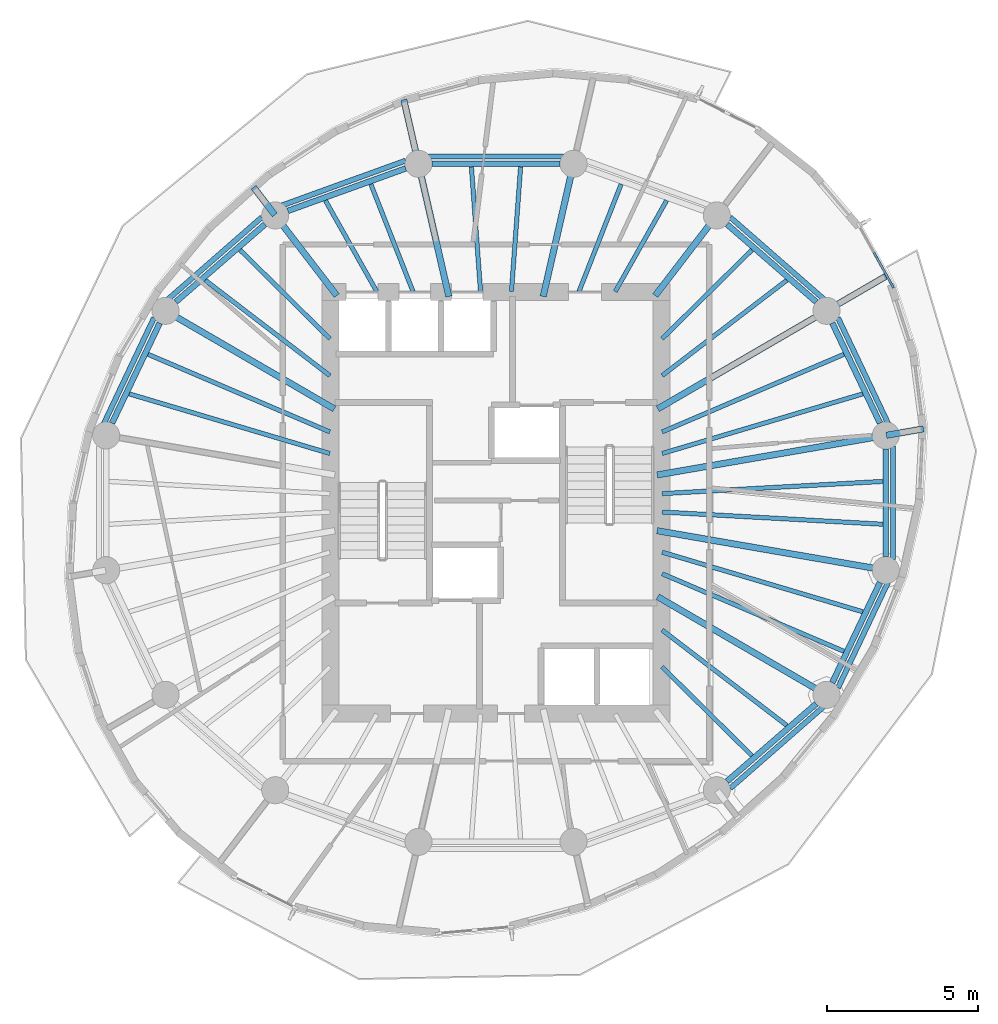
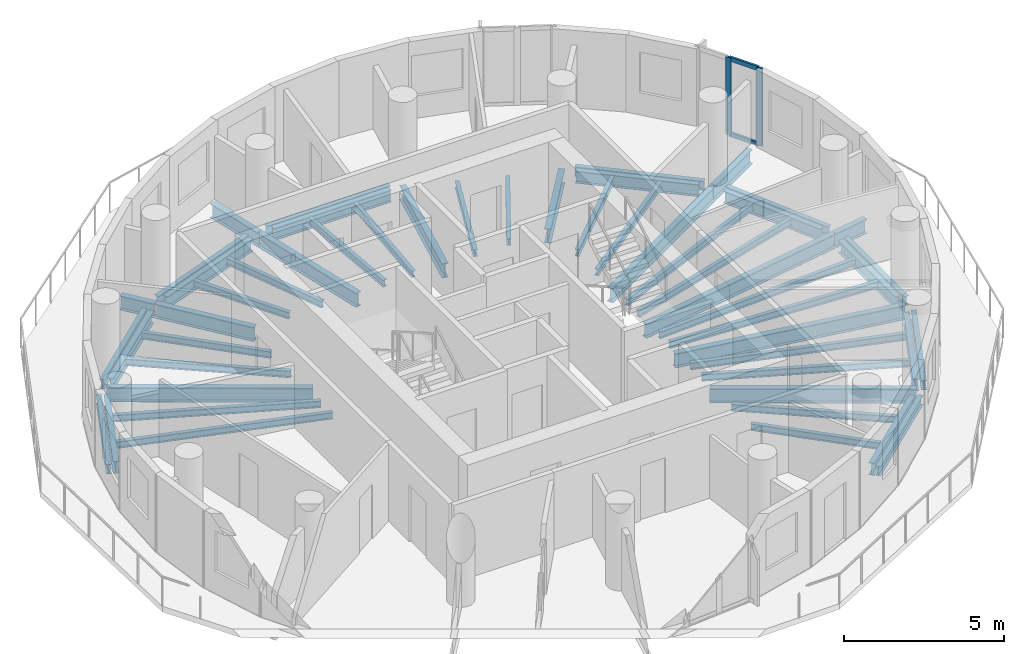
# One storey, part 2 of 10: 51 beams, 4 members, 1 element without a shape of its own.
"""IFC4 building model written with IfcOpenShell, lengths in metres."""

from ifc_helpers import new_model, si_unit, direction, frame, origin, origin_2d, place, context, subcontext, project, spatial, rectangle, i_section, extrude, material, material_profile, profile_set, type_object, element, aggregate, save


model = new_model("IFC4")

# Units and contexts
model_context = context("Model", 3, precision=1e-05, world=origin(), true_north=direction((0.0, 1.0)))
body_context = subcontext(model_context, "Body", "Model", "MODEL_VIEW")
ifc_project = project(units=[si_unit("LENGTHUNIT", "METRE"), si_unit("AREAUNIT", "SQUARE_METRE"), si_unit("VOLUMEUNIT", "CUBIC_METRE"), si_unit("PLANEANGLEUNIT", "RADIAN"), si_unit("MASSUNIT", "GRAM", prefix="KILO")], contexts=[model_context])

# Site, building, storey
site_placement = place(None, origin())
site = spatial("IfcSite", under=ifc_project, at=site_placement, CompositionType="ELEMENT")
building_placement = place(site_placement, origin())
building = spatial("IfcBuilding", under=site, at=building_placement, Name="Veldorim Arch Residences", CompositionType="ELEMENT")
storey_placement = place(building_placement, frame((0.0, 0.0, 191.840087890625)))
storey = spatial("IfcBuildingStorey", under=building, at=storey_placement, Name="L57", CompositionType="ELEMENT", Elevation=191.840087890625)

# Beams
ifc_material_1 = material(Name="Steel S355", Category="steel")
ifc_material_profile_1 = material_profile(ifc_material_1, i_section(OverallWidth=0.2119140625, OverallDepth=0.54443359375, WebThickness=0.0126953125, FlangeThickness=0.021240234375, at=origin_2d()), Name="UB533x210x122")
ifc_profile_set_1 = profile_set([ifc_material_profile_1], Name="Steel S355")
beam_type_1 = type_object("IfcBeamType", Name="Structural Steel Beam UB533x210x122", PredefinedType="BEAM", material=ifc_profile_set_1)
beam_1_placement = place(storey_placement, frame((37.352294921875, 24.92578125, -0.512451171875), z_axis=(0.985364974081, 0.170457818401, 0.0), x_axis=(-0.170457818401, 0.985364974081, 0.0)))
element("IfcBeam", 1, at=beam_1_placement, inside=storey, type_object=beam_type_1, Name="L57 radial floor girder 01", PredefinedType="BEAM", context=body_context, shape_type="SweptSolid", body=[
    extrude(i_section(OverallWidth=0.2119140625, OverallDepth=0.54443359375, WebThickness=0.0126953125, FlangeThickness=0.021240234375, at=origin_2d()), origin(), (0.0, 0.0, 1.0), 7.68701171875),
])
beam_2_placement = place(storey_placement, frame((44.966064453125, 26.242919921875, -0.512451171875), z_axis=(0.985353024945, 0.170526878328, 0.0), x_axis=(-0.170526878328, 0.985353024945, 0.0)))
element("IfcBeam", 2, at=beam_2_placement, inside=storey, type_object=beam_type_1, Name="L57 radial edge cantilever girder 01", PredefinedType="BEAM", context=body_context, shape_type="SweptSolid", body=[
    extrude(i_section(OverallWidth=0.2119140625, OverallDepth=0.54443359375, WebThickness=0.0126953125, FlangeThickness=0.021240234375, at=origin_2d()), origin(), (0.0, 0.0, 1.0), 1.252685546875),
])
beam_3_placement = place(storey_placement, frame((37.370361328125, 27.12060546875, -0.512451171875), z_axis=(0.864595736304, 0.502468121142, 0.0), x_axis=(-0.502468121142, 0.864595736304, 0.0)))
element("IfcBeam", 3, at=beam_3_placement, inside=storey, type_object=beam_type_1, Name="L57 radial floor girder 02", PredefinedType="BEAM", context=body_context, shape_type="SweptSolid", body=[
    extrude(i_section(OverallWidth=0.2119140625, OverallDepth=0.54443359375, WebThickness=0.0126953125, FlangeThickness=0.021240234375, at=origin_2d()), origin(), (0.0, 0.0, 1.0), 6.462646484375),
])
beam_4_placement = place(storey_placement, frame((42.99267578125, 30.387939453125, -0.512451171875), z_axis=(0.864602055373, 0.502457247779, 0.0), x_axis=(-0.502457247779, 0.864602055373, 0.0)))
element("IfcBeam", 4, at=beam_4_placement, inside=storey, type_object=beam_type_1, Name="L57 radial edge cantilever girder 02", PredefinedType="BEAM", context=body_context, shape_type="SweptSolid", body=[
    extrude(i_section(OverallWidth=0.2119140625, OverallDepth=0.54443359375, WebThickness=0.0126953125, FlangeThickness=0.021240234375, at=origin_2d()), origin(), (0.0, 0.0, 1.0), 2.2880859375),
])
beam_5_placement = place(storey_placement, frame((37.28662109375, 30.881103515625, -0.512451171875), z_axis=(0.609258442308, 0.792971721108, 0.0), x_axis=(-0.792971721108, 0.609258442308, 0.0)))
element("IfcBeam", 5, at=beam_5_placement, inside=storey, type_object=beam_type_1, Name="L57 radial floor girder 03", PredefinedType="BEAM", context=body_context, shape_type="SweptSolid", body=[
    extrude(i_section(OverallWidth=0.2119140625, OverallDepth=0.54443359375, WebThickness=0.0126953125, FlangeThickness=0.021240234375, at=origin_2d()), origin(), (0.0, 0.0, 1.0), 3.339599609375),
])
for number, where, z_axis, x_axis, name in (
    (6, (33.567626953125, 30.853759765625, -0.512451171875), (0.222952976993, 0.97482920045, 0.0), (-0.97482920045, 0.222952976993, 0.0), "L57 radial floor girder 04"),
    (7, (30.432373046875, 30.853759765625, -0.512451171875), (-0.222952976993, 0.97482920045, 0.0), (-0.97482920045, -0.222952976993, 0.0), "L57 radial floor girder 05"),
):
    element("IfcBeam", number, at=place(storey_placement, frame(where, z_axis=z_axis, x_axis=x_axis)), inside=storey, type_object=beam_type_1, Name=name, PredefinedType="BEAM", context=body_context, shape_type="SweptSolid", body=[
        extrude(i_section(OverallWidth=0.2119140625, OverallDepth=0.54443359375, WebThickness=0.0126953125, FlangeThickness=0.021240234375, at=origin_2d()), origin(), (0.0, 0.0, 1.0), 4.49951171875),
    ])
beam_6_placement = place(storey_placement, frame((29.42041015625, 35.27880859375, -0.512451171875), z_axis=(-0.222947343298, 0.974830488914, 0.0), x_axis=(-0.974830488914, -0.222947343298, 0.0)))
element("IfcBeam", 8, at=beam_6_placement, inside=storey, type_object=beam_type_1, Name="L57 radial edge cantilever girder 05", PredefinedType="BEAM", context=body_context, shape_type="SweptSolid", body=[
    extrude(i_section(OverallWidth=0.2119140625, OverallDepth=0.54443359375, WebThickness=0.0126953125, FlangeThickness=0.021240234375, at=origin_2d()), origin(), (0.0, 0.0, 1.0), 2.163818359375),
])
beam_7_placement = place(storey_placement, frame((26.71337890625, 30.881103515625, -0.512451171875), z_axis=(-0.609258442308, 0.792971721108, 0.0), x_axis=(-0.792971721108, -0.609258442308, 0.0)))
element("IfcBeam", 9, at=beam_7_placement, inside=storey, type_object=beam_type_1, Name="L57 radial floor girder 06", PredefinedType="BEAM", context=body_context, shape_type="SweptSolid", body=[
    extrude(i_section(OverallWidth=0.2119140625, OverallDepth=0.54443359375, WebThickness=0.0126953125, FlangeThickness=0.021240234375, at=origin_2d()), origin(), (0.0, 0.0, 1.0), 3.339599609375),
])
beam_8_placement = place(storey_placement, frame((24.654296875, 33.561279296875, -0.512451171875), z_axis=(-0.609203031705, 0.793014291272, 0.0), x_axis=(-0.793014291272, -0.609203031705, 0.0)))
element("IfcBeam", 10, at=beam_8_placement, inside=storey, type_object=beam_type_1, Name="L57 radial edge cantilever girder 06", PredefinedType="BEAM", context=body_context, shape_type="SweptSolid", body=[
    extrude(i_section(OverallWidth=0.2119140625, OverallDepth=0.54443359375, WebThickness=0.0126953125, FlangeThickness=0.021240234375, at=origin_2d()), origin(), (0.0, 0.0, 1.0), 1.162109375),
])
for number, where, z_axis, x_axis, name in (
    (11, (26.629638671875, 27.12060546875, -0.512451171875), (-0.864595736304, 0.502468121142, 0.0), (-0.502468121142, -0.864595736304, 0.0), "L57 radial floor girder 07"),
    (12, (37.370361328125, 20.87939453125, -0.512451171875), (0.864595736304, -0.502468121142, 0.0), (0.502468121142, 0.864595736304, 0.0), "L57 radial floor girder 15"),
):
    element("IfcBeam", number, at=place(storey_placement, frame(where, z_axis=z_axis, x_axis=x_axis)), inside=storey, type_object=beam_type_1, Name=name, PredefinedType="BEAM", context=body_context, shape_type="SweptSolid", body=[
        extrude(i_section(OverallWidth=0.2119140625, OverallDepth=0.54443359375, WebThickness=0.0126953125, FlangeThickness=0.021240234375, at=origin_2d()), origin(), (0.0, 0.0, 1.0), 6.462646484375),
    ])
beam_9_placement = place(storey_placement, frame((37.352294921875, 23.07421875, -0.512451171875), z_axis=(0.985364974081, -0.170457818401, 0.0), x_axis=(0.170457818401, 0.985364974081, 0.0)))
element("IfcBeam", 13, at=beam_9_placement, inside=storey, type_object=beam_type_1, Name="L57 radial floor girder 16", PredefinedType="BEAM", context=body_context, shape_type="SweptSolid", body=[
    extrude(i_section(OverallWidth=0.2119140625, OverallDepth=0.54443359375, WebThickness=0.0126953125, FlangeThickness=0.021240234375, at=origin_2d()), origin(), (0.0, 0.0, 1.0), 7.68701171875),
])
ifc_material_2 = material(Name="Steel S355", Category="steel")
ifc_material_profile_2 = material_profile(ifc_material_2, i_section(OverallWidth=0.146484375, OverallDepth=0.256103515625, WebThickness=0.00634765625, FlangeThickness=0.010986328125, at=origin_2d()), Name="UB254x146x37")
ifc_profile_set_2 = profile_set([ifc_material_profile_2], Name="Steel S355")
beam_type_2 = type_object("IfcBeamType", Name="Structural Steel Joist UB254x146x37", PredefinedType="JOIST", material=ifc_profile_set_2)
beam_10_placement = place(storey_placement, frame((37.519287109375, 25.639404296875, -0.3681640625), z_axis=(0.958594432792, 0.284774846889, 0.0), x_axis=(-0.284774846889, 0.958594432792, 0.0)))
element("IfcBeam", 14, at=beam_10_placement, inside=storey, type_object=beam_type_2, Name="L57 secondary radial floor joist 01-1", PredefinedType="JOIST", context=body_context, shape_type="SweptSolid", body=[
    extrude(i_section(OverallWidth=0.146484375, OverallDepth=0.256103515625, WebThickness=0.00634765625, FlangeThickness=0.010986328125, at=origin_2d()), origin(), (0.0, 0.0, 1.0), 6.949462890625),
])
beam_11_placement = place(storey_placement, frame((37.518310546875, 26.355712890625, -0.3681640625), z_axis=(0.919725161652, 0.392562895629, 0.0), x_axis=(-0.392562895629, 0.919725161652, 0.0)))
element("IfcBeam", 15, at=beam_11_placement, inside=storey, type_object=beam_type_2, Name="L57 secondary radial floor joist 01-2", PredefinedType="JOIST", context=body_context, shape_type="SweptSolid", body=[
    extrude(i_section(OverallWidth=0.146484375, OverallDepth=0.256103515625, WebThickness=0.00634765625, FlangeThickness=0.010986328125, at=origin_2d()), origin(), (0.0, 0.0, 1.0), 6.5625),
])
beam_12_placement = place(storey_placement, frame((37.515869140625, 28.222900390625, -0.3681640625), z_axis=(0.794013672216, 0.607899899929, 0.0), x_axis=(-0.607899899929, 0.794013672216, 0.0)))
element("IfcBeam", 16, at=beam_12_placement, inside=storey, type_object=beam_type_2, Name="L57 secondary radial floor joist 02-1", PredefinedType="JOIST", context=body_context, shape_type="SweptSolid", body=[
    extrude(i_section(OverallWidth=0.146484375, OverallDepth=0.256103515625, WebThickness=0.00634765625, FlangeThickness=0.010986328125, at=origin_2d()), origin(), (0.0, 0.0, 1.0), 5.217041015625),
])
beam_13_placement = place(storey_placement, frame((37.51416015625, 29.44775390625, -0.3681640625), z_axis=(0.711396725432, 0.702790650937, 0.0), x_axis=(-0.702790650937, 0.711396725432, 0.0)))
element("IfcBeam", 17, at=beam_13_placement, inside=storey, type_object=beam_type_2, Name="L57 secondary radial floor joist 02-2", PredefinedType="JOIST", context=body_context, shape_type="SweptSolid", body=[
    extrude(i_section(OverallWidth=0.146484375, OverallDepth=0.256103515625, WebThickness=0.00634765625, FlangeThickness=0.010986328125, at=origin_2d()), origin(), (0.0, 0.0, 1.0), 4.198486328125),
])
beam_14_placement = place(storey_placement, frame((35.960205078125, 31.017333984375, -0.3681640625), z_axis=(0.491452469585, 0.870904397818, 0.0), x_axis=(-0.870904397818, 0.491452469585, 0.0)))
element("IfcBeam", 18, at=beam_14_placement, inside=storey, type_object=beam_type_2, Name="L57 secondary radial floor joist 03-1", PredefinedType="JOIST", context=body_context, shape_type="SweptSolid", body=[
    extrude(i_section(OverallWidth=0.146484375, OverallDepth=0.256103515625, WebThickness=0.00634765625, FlangeThickness=0.010986328125, at=origin_2d()), origin(), (0.0, 0.0, 1.0), 3.472412109375),
])
beam_15_placement = place(storey_placement, frame((34.75634765625, 31.0185546875, -0.3681640625), z_axis=(0.365581383042, 0.930779379001, 0.0), x_axis=(-0.930779379001, 0.365581383042, 0.0)))
element("IfcBeam", 19, at=beam_15_placement, inside=storey, type_object=beam_type_2, Name="L57 secondary radial floor joist 03-2", PredefinedType="JOIST", context=body_context, shape_type="SweptSolid", body=[
    extrude(i_section(OverallWidth=0.146484375, OverallDepth=0.256103515625, WebThickness=0.00634765625, FlangeThickness=0.010986328125, at=origin_2d()), origin(), (0.0, 0.0, 1.0), 3.83056640625),
])
for number, where, z_axis, x_axis, name in (
    (20, (32.513916015625, 31.02001953125, -0.3681640625), (0.072985625899, 0.997332992742, 0.0), (-0.997332992742, 0.072985625899, 0.0), "L57 secondary radial floor joist 04-1"),
    (21, (31.486083984375, 31.02001953125, -0.3681640625), (-0.072985625899, 0.997332992742, 0.0), (-0.997332992742, -0.072985625899, 0.0), "L57 secondary radial floor joist 04-2"),
):
    element("IfcBeam", number, at=place(storey_placement, frame(where, z_axis=z_axis, x_axis=x_axis)), inside=storey, type_object=beam_type_2, Name=name, PredefinedType="JOIST", context=body_context, shape_type="SweptSolid", body=[
        extrude(i_section(OverallWidth=0.146484375, OverallDepth=0.256103515625, WebThickness=0.00634765625, FlangeThickness=0.010986328125, at=origin_2d()), origin(), (0.0, 0.0, 1.0), 4.151123046875),
    ])
beam_16_placement = place(storey_placement, frame((29.24365234375, 31.0185546875, -0.3681640625), z_axis=(-0.365581383042, 0.930779379001, 0.0), x_axis=(-0.930779379001, -0.365581383042, 0.0)))
element("IfcBeam", 22, at=beam_16_placement, inside=storey, type_object=beam_type_2, Name="L57 secondary radial floor joist 05-1", PredefinedType="JOIST", context=body_context, shape_type="SweptSolid", body=[
    extrude(i_section(OverallWidth=0.146484375, OverallDepth=0.256103515625, WebThickness=0.00634765625, FlangeThickness=0.010986328125, at=origin_2d()), origin(), (0.0, 0.0, 1.0), 3.83056640625),
])
beam_17_placement = place(storey_placement, frame((28.039794921875, 31.017333984375, -0.3681640625), z_axis=(-0.491452469585, 0.870904397818, 0.0), x_axis=(-0.870904397818, -0.491452469585, 0.0)))
element("IfcBeam", 23, at=beam_17_placement, inside=storey, type_object=beam_type_2, Name="L57 secondary radial floor joist 05-2", PredefinedType="JOIST", context=body_context, shape_type="SweptSolid", body=[
    extrude(i_section(OverallWidth=0.146484375, OverallDepth=0.256103515625, WebThickness=0.00634765625, FlangeThickness=0.010986328125, at=origin_2d()), origin(), (0.0, 0.0, 1.0), 3.472412109375),
])
beam_18_placement = place(storey_placement, frame((26.48583984375, 29.44775390625, -0.3681640625), z_axis=(-0.711396725432, 0.702790650937, 0.0), x_axis=(-0.702790650937, -0.711396725432, 0.0)))
element("IfcBeam", 24, at=beam_18_placement, inside=storey, type_object=beam_type_2, Name="L57 secondary radial floor joist 06-1", PredefinedType="JOIST", context=body_context, shape_type="SweptSolid", body=[
    extrude(i_section(OverallWidth=0.146484375, OverallDepth=0.256103515625, WebThickness=0.00634765625, FlangeThickness=0.010986328125, at=origin_2d()), origin(), (0.0, 0.0, 1.0), 4.198486328125),
])
beam_19_placement = place(storey_placement, frame((26.484130859375, 28.222900390625, -0.3681640625), z_axis=(-0.794013672216, 0.607899899929, 0.0), x_axis=(-0.607899899929, -0.794013672216, 0.0)))
element("IfcBeam", 25, at=beam_19_placement, inside=storey, type_object=beam_type_2, Name="L57 secondary radial floor joist 06-2", PredefinedType="JOIST", context=body_context, shape_type="SweptSolid", body=[
    extrude(i_section(OverallWidth=0.146484375, OverallDepth=0.256103515625, WebThickness=0.00634765625, FlangeThickness=0.010986328125, at=origin_2d()), origin(), (0.0, 0.0, 1.0), 5.217041015625),
])
beam_20_placement = place(storey_placement, frame((26.481689453125, 26.355712890625, -0.3681640625), z_axis=(-0.919725161652, 0.392562895629, 0.0), x_axis=(-0.392562895629, -0.919725161652, 0.0)))
element("IfcBeam", 26, at=beam_20_placement, inside=storey, type_object=beam_type_2, Name="L57 secondary radial floor joist 07-1", PredefinedType="JOIST", context=body_context, shape_type="SweptSolid", body=[
    extrude(i_section(OverallWidth=0.146484375, OverallDepth=0.256103515625, WebThickness=0.00634765625, FlangeThickness=0.010986328125, at=origin_2d()), origin(), (0.0, 0.0, 1.0), 6.5625),
])
beam_21_placement = place(storey_placement, frame((26.480712890625, 25.639404296875, -0.3681640625), z_axis=(-0.958594432792, 0.284774846889, 0.0), x_axis=(-0.284774846889, -0.958594432792, 0.0)))
element("IfcBeam", 27, at=beam_21_placement, inside=storey, type_object=beam_type_2, Name="L57 secondary radial floor joist 07-2", PredefinedType="JOIST", context=body_context, shape_type="SweptSolid", body=[
    extrude(i_section(OverallWidth=0.146484375, OverallDepth=0.256103515625, WebThickness=0.00634765625, FlangeThickness=0.010986328125, at=origin_2d()), origin(), (0.0, 0.0, 1.0), 6.949462890625),
])
beam_22_placement = place(storey_placement, frame((37.51416015625, 18.55224609375, -0.3681640625), z_axis=(0.711396725432, -0.702790650937, 0.0), x_axis=(0.702790650937, 0.711396725432, 0.0)))
element("IfcBeam", 28, at=beam_22_placement, inside=storey, type_object=beam_type_2, Name="L57 secondary radial floor joist 14-1", PredefinedType="JOIST", context=body_context, shape_type="SweptSolid", body=[
    extrude(i_section(OverallWidth=0.146484375, OverallDepth=0.256103515625, WebThickness=0.00634765625, FlangeThickness=0.010986328125, at=origin_2d()), origin(), (0.0, 0.0, 1.0), 4.198486328125),
])
beam_23_placement = place(storey_placement, frame((37.515869140625, 19.777099609375, -0.3681640625), z_axis=(0.794013672216, -0.607899899929, 0.0), x_axis=(0.607899899929, 0.794013672216, 0.0)))
element("IfcBeam", 29, at=beam_23_placement, inside=storey, type_object=beam_type_2, Name="L57 secondary radial floor joist 14-2", PredefinedType="JOIST", context=body_context, shape_type="SweptSolid", body=[
    extrude(i_section(OverallWidth=0.146484375, OverallDepth=0.256103515625, WebThickness=0.00634765625, FlangeThickness=0.010986328125, at=origin_2d()), origin(), (0.0, 0.0, 1.0), 5.217041015625),
])
beam_24_placement = place(storey_placement, frame((37.518310546875, 21.644287109375, -0.3681640625), z_axis=(0.919725161652, -0.392562895629, 0.0), x_axis=(0.392562895629, 0.919725161652, 0.0)))
element("IfcBeam", 30, at=beam_24_placement, inside=storey, type_object=beam_type_2, Name="L57 secondary radial floor joist 15-1", PredefinedType="JOIST", context=body_context, shape_type="SweptSolid", body=[
    extrude(i_section(OverallWidth=0.146484375, OverallDepth=0.256103515625, WebThickness=0.00634765625, FlangeThickness=0.010986328125, at=origin_2d()), origin(), (0.0, 0.0, 1.0), 6.5625),
])
beam_25_placement = place(storey_placement, frame((37.519287109375, 22.360595703125, -0.3681640625), z_axis=(0.958594432792, -0.284774846889, 0.0), x_axis=(0.284774846889, 0.958594432792, 0.0)))
element("IfcBeam", 31, at=beam_25_placement, inside=storey, type_object=beam_type_2, Name="L57 secondary radial floor joist 15-2", PredefinedType="JOIST", context=body_context, shape_type="SweptSolid", body=[
    extrude(i_section(OverallWidth=0.146484375, OverallDepth=0.256103515625, WebThickness=0.00634765625, FlangeThickness=0.010986328125, at=origin_2d()), origin(), (0.0, 0.0, 1.0), 6.949462890625),
])
for number, where, z_axis, x_axis, name in (
    (32, (37.52001953125, 23.6943359375, -0.3681640625), (0.998472000884, -0.055259962464, 0.0), (0.055259962464, 0.998472000884, 0.0), "L57 secondary radial floor joist 16-1"),
    (33, (37.52001953125, 24.3056640625, -0.3681640625), (0.998472000884, 0.055259962464, 0.0), (-0.055259962464, 0.998472000884, 0.0), "L57 secondary radial floor joist 16-2"),
):
    element("IfcBeam", number, at=place(storey_placement, frame(where, z_axis=z_axis, x_axis=x_axis)), inside=storey, type_object=beam_type_2, Name=name, PredefinedType="JOIST", context=body_context, shape_type="SweptSolid", body=[
        extrude(i_section(OverallWidth=0.146484375, OverallDepth=0.256103515625, WebThickness=0.00634765625, FlangeThickness=0.010986328125, at=origin_2d()), origin(), (0.0, 0.0, 1.0), 7.33837890625),
    ])
ifc_material_3 = material(Name="Steel S355", Category="steel")
ifc_material_profile_3 = material_profile(ifc_material_3, i_section(OverallWidth=0.172119140625, OverallDepth=0.35791015625, WebThickness=0.008056640625, FlangeThickness=0.012939453125, at=origin_2d()), Name="UB356x171x57")
ifc_profile_set_3 = profile_set([ifc_material_profile_3], Name="Steel S355")
beam_type_3 = type_object("IfcBeamType", Name="Structural Steel Spandrel UB356x171x57", PredefinedType="SPANDREL", material=ifc_profile_set_3)
beam_26_placement = place(storey_placement, frame((45.0205078125, 26.6396484375, -0.439208984375), z_axis=(-0.428408308939, 0.903585259304, 0.0), x_axis=(-0.903585259304, -0.428408308939, 0.0)))
element("IfcBeam", 34, at=beam_26_placement, inside=storey, type_object=beam_type_3, Name="L57 perimeter chord spandrel beam 01", PredefinedType="SPANDREL", context=body_context, shape_type="SweptSolid", body=[
    extrude(i_section(OverallWidth=0.172119140625, OverallDepth=0.35791015625, WebThickness=0.008056640625, FlangeThickness=0.012939453125, at=origin_2d()), origin(), (0.0, 0.0, 1.0), 3.878662109375),
])
beam_27_placement = place(storey_placement, frame((42.891357421875, 30.762939453125, -0.439208984375), z_axis=(-0.752847646119, 0.6581948205, 0.0), x_axis=(-0.6581948205, -0.752847646119, 0.0)))
element("IfcBeam", 35, at=beam_27_placement, inside=storey, type_object=beam_type_3, Name="L57 perimeter chord spandrel beam 02", PredefinedType="SPANDREL", context=body_context, shape_type="SweptSolid", body=[
    extrude(i_section(OverallWidth=0.172119140625, OverallDepth=0.35791015625, WebThickness=0.008056640625, FlangeThickness=0.012939453125, at=origin_2d()), origin(), (0.0, 0.0, 1.0), 4.12939453125),
])
beam_28_placement = place(storey_placement, frame((34.234375, 35.500732421875, -0.439208984375), z_axis=(-1.0, 0.0, 0.0), x_axis=(0.0, -1.0, 0.0)))
element("IfcBeam", 36, at=beam_28_placement, inside=storey, type_object=beam_type_3, Name="L57 perimeter chord spandrel beam 04", PredefinedType="SPANDREL", context=body_context, shape_type="SweptSolid", body=[
    extrude(i_section(OverallWidth=0.172119140625, OverallDepth=0.35791015625, WebThickness=0.008056640625, FlangeThickness=0.012939453125, at=origin_2d()), origin(), (0.0, 0.0, 1.0), 4.46875),
])
beam_29_placement = place(storey_placement, frame((28.997314453125, 35.36572265625, -0.439208984375), z_axis=(-0.940164695555, -0.340720332871, 0.0), x_axis=(0.340720332871, -0.940164695555, 0.0)))
element("IfcBeam", 37, at=beam_29_placement, inside=storey, type_object=beam_type_3, Name="L57 perimeter chord spandrel beam 05", PredefinedType="SPANDREL", context=body_context, shape_type="SweptSolid", body=[
    extrude(i_section(OverallWidth=0.172119140625, OverallDepth=0.35791015625, WebThickness=0.008056640625, FlangeThickness=0.012939453125, at=origin_2d()), origin(), (0.0, 0.0, 1.0), 4.370849609375),
])
beam_30_placement = place(storey_placement, frame((24.217529296875, 33.48095703125, -0.439208984375), z_axis=(-0.752847646119, -0.6581948205, 0.0), x_axis=(0.6581948205, -0.752847646119, 0.0)))
element("IfcBeam", 38, at=beam_30_placement, inside=storey, type_object=beam_type_3, Name="L57 perimeter chord spandrel beam 06", PredefinedType="SPANDREL", context=body_context, shape_type="SweptSolid", body=[
    extrude(i_section(OverallWidth=0.172119140625, OverallDepth=0.35791015625, WebThickness=0.008056640625, FlangeThickness=0.012939453125, at=origin_2d()), origin(), (0.0, 0.0, 1.0), 4.12939453125),
])
beam_31_placement = place(storey_placement, frame((20.64111328125, 30.144287109375, -0.439208984375), z_axis=(-0.428408308939, -0.903585259304, 0.0), x_axis=(0.903585259304, -0.428408308939, 0.0)))
element("IfcBeam", 39, at=beam_31_placement, inside=storey, type_object=beam_type_3, Name="L57 perimeter chord spandrel beam 07", PredefinedType="SPANDREL", context=body_context, shape_type="SweptSolid", body=[
    extrude(i_section(OverallWidth=0.172119140625, OverallDepth=0.35791015625, WebThickness=0.008056640625, FlangeThickness=0.012939453125, at=origin_2d()), origin(), (0.0, 0.0, 1.0), 3.878662109375),
])
beam_32_placement = place(storey_placement, frame((39.782470703125, 14.51904296875, -0.439208984375), z_axis=(0.752847646119, 0.6581948205, 0.0), x_axis=(-0.6581948205, 0.752847646119, 0.0)))
element("IfcBeam", 40, at=beam_32_placement, inside=storey, type_object=beam_type_3, Name="L57 perimeter chord spandrel beam 14", PredefinedType="SPANDREL", context=body_context, shape_type="SweptSolid", body=[
    extrude(i_section(OverallWidth=0.172119140625, OverallDepth=0.35791015625, WebThickness=0.008056640625, FlangeThickness=0.012939453125, at=origin_2d()), origin(), (0.0, 0.0, 1.0), 4.12939453125),
])
beam_33_placement = place(storey_placement, frame((43.35888671875, 17.855712890625, -0.439208984375), z_axis=(0.428408308939, 0.903585259304, 0.0), x_axis=(-0.903585259304, 0.428408308939, 0.0)))
element("IfcBeam", 41, at=beam_33_placement, inside=storey, type_object=beam_type_3, Name="L57 perimeter chord spandrel beam 15", PredefinedType="SPANDREL", context=body_context, shape_type="SweptSolid", body=[
    extrude(i_section(OverallWidth=0.172119140625, OverallDepth=0.35791015625, WebThickness=0.008056640625, FlangeThickness=0.012939453125, at=origin_2d()), origin(), (0.0, 0.0, 1.0), 3.878662109375),
])
beam_34_placement = place(storey_placement, frame((45.190185546875, 22.1142578125, -0.439208984375), z_axis=(0.0, 1.0, 0.0), x_axis=(-1.0, 0.0, 0.0)))
element("IfcBeam", 42, at=beam_34_placement, inside=storey, type_object=beam_type_3, Name="L57 perimeter chord spandrel beam 16", PredefinedType="SPANDREL", context=body_context, shape_type="SweptSolid", body=[
    extrude(i_section(OverallWidth=0.172119140625, OverallDepth=0.35791015625, WebThickness=0.008056640625, FlangeThickness=0.012939453125, at=origin_2d()), origin(), (0.0, 0.0, 1.0), 3.771484375),
])
ifc_material_4 = material(Name="Steel S355", Category="steel")
ifc_material_profile_4 = material_profile(ifc_material_4, i_section(OverallWidth=0.19140625, OverallDepth=0.4599609375, WebThickness=0.010009765625, FlangeThickness=0.01611328125, at=origin_2d()), Name="UB457x191x82")
ifc_profile_set_4 = profile_set([ifc_material_profile_4], Name="Steel S355")
beam_type_4 = type_object("IfcBeamType", Name="Structural Steel Spandrel UB457x191x82", PredefinedType="SPANDREL", material=ifc_profile_set_4)
beam_35_placement = place(storey_placement, frame((44.7529296875, 26.64599609375, -0.469970703125), z_axis=(-0.430005613988, 0.902826213586, 0.0), x_axis=(-0.902826213586, -0.430005613988, 0.0)))
element("IfcBeam", 43, at=beam_35_placement, inside=storey, type_object=beam_type_4, Name="L57 perimeter ring tie beam 01", PredefinedType="SPANDREL", context=body_context, shape_type="SweptSolid", body=[
    extrude(i_section(OverallWidth=0.19140625, OverallDepth=0.4599609375, WebThickness=0.010009765625, FlangeThickness=0.01611328125, at=origin_2d()), origin(), (0.0, 0.0, 1.0), 3.68359375),
])
beam_36_placement = place(storey_placement, frame((42.635986328125, 30.673095703125, -0.469970703125), z_axis=(-0.754545285701, 0.656247980436, 0.0), x_axis=(-0.656247980436, -0.754545285701, 0.0)))
element("IfcBeam", 44, at=beam_36_placement, inside=storey, type_object=beam_type_4, Name="L57 perimeter ring tie beam 02", PredefinedType="SPANDREL", context=body_context, shape_type="SweptSolid", body=[
    extrude(i_section(OverallWidth=0.19140625, OverallDepth=0.4599609375, WebThickness=0.010009765625, FlangeThickness=0.01611328125, at=origin_2d()), origin(), (0.0, 0.0, 1.0), 3.9267578125),
])
beam_37_placement = place(storey_placement, frame((34.125244140625, 35.259521484375, -0.469970703125), z_axis=(-1.0, 0.0, 0.0), x_axis=(0.0, -1.0, 0.0)))
element("IfcBeam", 45, at=beam_37_placement, inside=storey, type_object=beam_type_4, Name="L57 perimeter ring tie beam 04", PredefinedType="SPANDREL", context=body_context, shape_type="SweptSolid", body=[
    extrude(i_section(OverallWidth=0.19140625, OverallDepth=0.4599609375, WebThickness=0.010009765625, FlangeThickness=0.01611328125, at=origin_2d()), origin(), (0.0, 0.0, 1.0), 4.25048828125),
])
beam_38_placement = place(storey_placement, frame((29.00146484375, 35.10693359375, -0.469970703125), z_axis=(-0.940811035395, -0.338931550137, 0.0), x_axis=(0.338931550137, -0.940811035395, 0.0)))
element("IfcBeam", 46, at=beam_38_placement, inside=storey, type_object=beam_type_4, Name="L57 perimeter ring tie beam 05", PredefinedType="SPANDREL", context=body_context, shape_type="SweptSolid", body=[
    extrude(i_section(OverallWidth=0.19140625, OverallDepth=0.4599609375, WebThickness=0.010009765625, FlangeThickness=0.01611328125, at=origin_2d()), origin(), (0.0, 0.0, 1.0), 4.15771484375),
])
beam_39_placement = place(storey_placement, frame((24.326904296875, 33.25, -0.469970703125), z_axis=(-0.754545285701, -0.656247980436, 0.0), x_axis=(0.656247980436, -0.754545285701, 0.0)))
element("IfcBeam", 47, at=beam_39_placement, inside=storey, type_object=beam_type_4, Name="L57 perimeter ring tie beam 06", PredefinedType="SPANDREL", context=body_context, shape_type="SweptSolid", body=[
    extrude(i_section(OverallWidth=0.19140625, OverallDepth=0.4599609375, WebThickness=0.010009765625, FlangeThickness=0.01611328125, at=origin_2d()), origin(), (0.0, 0.0, 1.0), 3.9267578125),
])
beam_40_placement = place(storey_placement, frame((20.8310546875, 29.9716796875, -0.469970703125), z_axis=(-0.430005613988, -0.902826213586, 0.0), x_axis=(0.902826213586, -0.430005613988, 0.0)))
element("IfcBeam", 48, at=beam_40_placement, inside=storey, type_object=beam_type_4, Name="L57 perimeter ring tie beam 07", PredefinedType="SPANDREL", context=body_context, shape_type="SweptSolid", body=[
    extrude(i_section(OverallWidth=0.19140625, OverallDepth=0.4599609375, WebThickness=0.010009765625, FlangeThickness=0.01611328125, at=origin_2d()), origin(), (0.0, 0.0, 1.0), 3.68359375),
])
beam_41_placement = place(storey_placement, frame((39.673095703125, 14.75, -0.469970703125), z_axis=(0.754545285701, 0.656247980436, 0.0), x_axis=(-0.656247980436, 0.754545285701, 0.0)))
element("IfcBeam", 49, at=beam_41_placement, inside=storey, type_object=beam_type_4, Name="L57 perimeter ring tie beam 14", PredefinedType="SPANDREL", context=body_context, shape_type="SweptSolid", body=[
    extrude(i_section(OverallWidth=0.19140625, OverallDepth=0.4599609375, WebThickness=0.010009765625, FlangeThickness=0.01611328125, at=origin_2d()), origin(), (0.0, 0.0, 1.0), 3.9267578125),
])
beam_42_placement = place(storey_placement, frame((43.1689453125, 18.0283203125, -0.469970703125), z_axis=(0.430005613988, 0.902826213586, 0.0), x_axis=(-0.902826213586, 0.430005613988, 0.0)))
element("IfcBeam", 50, at=beam_42_placement, inside=storey, type_object=beam_type_4, Name="L57 perimeter ring tie beam 15", PredefinedType="SPANDREL", context=body_context, shape_type="SweptSolid", body=[
    extrude(i_section(OverallWidth=0.19140625, OverallDepth=0.4599609375, WebThickness=0.010009765625, FlangeThickness=0.01611328125, at=origin_2d()), origin(), (0.0, 0.0, 1.0), 3.68359375),
])
beam_43_placement = place(storey_placement, frame((44.9462890625, 22.21044921875, -0.469970703125), z_axis=(0.0, 1.0, 0.0), x_axis=(-1.0, 0.0, 0.0)))
element("IfcBeam", 51, at=beam_43_placement, inside=storey, type_object=beam_type_4, Name="L57 perimeter ring tie beam 16", PredefinedType="SPANDREL", context=body_context, shape_type="SweptSolid", body=[
    extrude(i_section(OverallWidth=0.19140625, OverallDepth=0.4599609375, WebThickness=0.010009765625, FlangeThickness=0.01611328125, at=origin_2d()), origin(), (0.0, 0.0, 1.0), 3.5791015625),
])

# Curtain wall, members
ifc_material_5 = material(Name="Aluminium", Category="aluminium")
curtain_wall_type = type_object("IfcCurtainWallType", Name="Zone 4 High-Altitude Unitised Curtain Wall", PredefinedType="NOTDEFINED", material=ifc_material_5)
curtain_wall_placement = place(storey_placement, origin())
curtain_wall = element("IfcCurtainWall", 52, at=curtain_wall_placement, inside=storey, type_object=curtain_wall_type, Name="L57 unitised curtain wall bay 35", PredefinedType="NOTDEFINED")
ifc_material_6 = material(Name="Aluminium", Category="aluminium")
ifc_material_profile_5 = material_profile(ifc_material_6, rectangle(XDim=0.074951171875, YDim=0.195068359375, at=origin_2d()), Name="ALU_MUL_75x195")
ifc_profile_set_5 = profile_set([ifc_material_profile_5], Name="Aluminium")
member_type_1 = type_object("IfcMemberType", Name="Zone 4 High-Altitude Unitised Curtain Wall Mullion 75x195", PredefinedType="MULLION", material=ifc_profile_set_5)
member_1_placement = place(storey_placement, frame((44.603515625, 32.21923828125, 0.0), z_axis=(0.0, 0.0, 1.0), x_axis=(0.874022577874, 0.485885308861, 0.0)))
member_1 = element("IfcMember", 53, at=member_1_placement, type_object=member_type_1, Name="CW-Z4 mullion 2", PredefinedType="MULLION", context=body_context, shape_type="SweptSolid", body=[
    extrude(rectangle(XDim=0.074951171875, YDim=0.195068359375, at=origin_2d()), origin(), (0.0, 0.0, 1.0), 2.9599609375),
])
member_2_placement = place(storey_placement, frame((45.1552734375, 31.226318359375, 0.0), z_axis=(0.0, 0.0, 1.0), x_axis=(0.874022577874, 0.485885308861, 0.0)))
member_2 = element("IfcMember", 54, at=member_2_placement, type_object=member_type_1, Name="CW-Z4 mullion 3", PredefinedType="MULLION", context=body_context, shape_type="SweptSolid", body=[
    extrude(rectangle(XDim=0.074951171875, YDim=0.195068359375, at=origin_2d()), origin(), (0.0, 0.0, 1.0), 2.9599609375),
])
ifc_material_7 = material(Name="Aluminium", Category="aluminium")
ifc_material_profile_6 = material_profile(ifc_material_7, rectangle(XDim=0.074951171875, YDim=0.1650390625, at=origin_2d()), Name="ALU_TRN_75x165")
ifc_profile_set_6 = profile_set([ifc_material_profile_6], Name="Aluminium")
member_type_2 = type_object("IfcMemberType", Name="Zone 4 High-Altitude Unitised Curtain Wall Transom 75x165", PredefinedType="USERDEFINED", material=ifc_profile_set_6)
member_3_placement = place(storey_placement, frame((44.62158203125, 32.1865234375, 0.037353515625), z_axis=(0.485896850133, -0.874016161768, 0.0), x_axis=(0.874016161768, 0.485896850133, 0.0)))
member_3 = element("IfcMember", 55, at=member_3_placement, type_object=member_type_2, Name="CW-Z4 transom 2.1", ObjectType="TRANSOM", PredefinedType="USERDEFINED", context=body_context, shape_type="SweptSolid", body=[
    extrude(rectangle(XDim=0.074951171875, YDim=0.1650390625, at=origin_2d()), origin(), (0.0, 0.0, 1.0), 1.061279296875),
])
member_4_placement = place(storey_placement, frame((44.62158203125, 32.1865234375, 2.92236328125), z_axis=(0.485896850133, -0.874016161768, 0.0), x_axis=(0.874016161768, 0.485896850133, 0.0)))
member_4 = element("IfcMember", 56, at=member_4_placement, type_object=member_type_2, Name="CW-Z4 transom 2.2", ObjectType="TRANSOM", PredefinedType="USERDEFINED", context=body_context, shape_type="SweptSolid", body=[
    extrude(rectangle(XDim=0.074951171875, YDim=0.1650390625, at=origin_2d()), origin(), (0.0, 0.0, 1.0), 1.061279296875),
])
aggregate(curtain_wall, [member_1, member_2, member_3, member_4])

save(model, "model.ifc")
